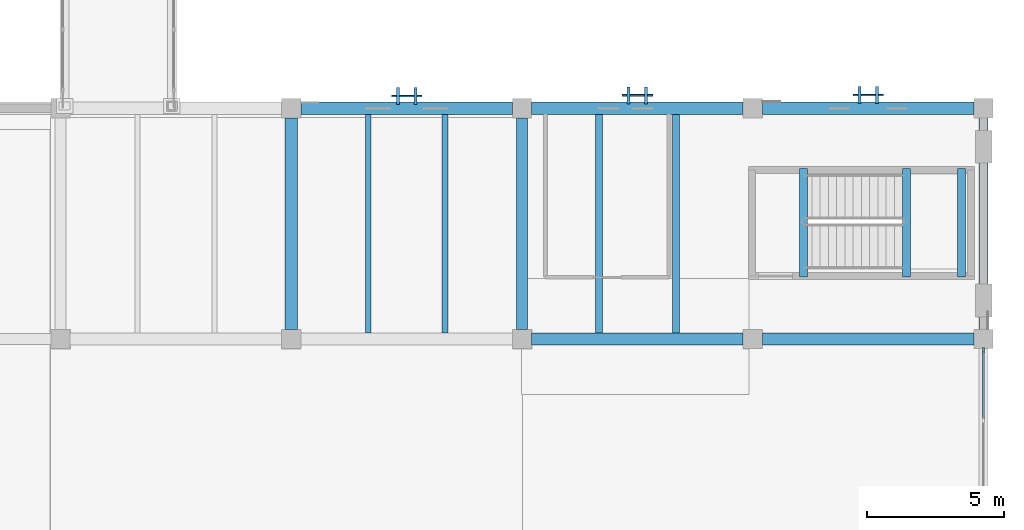
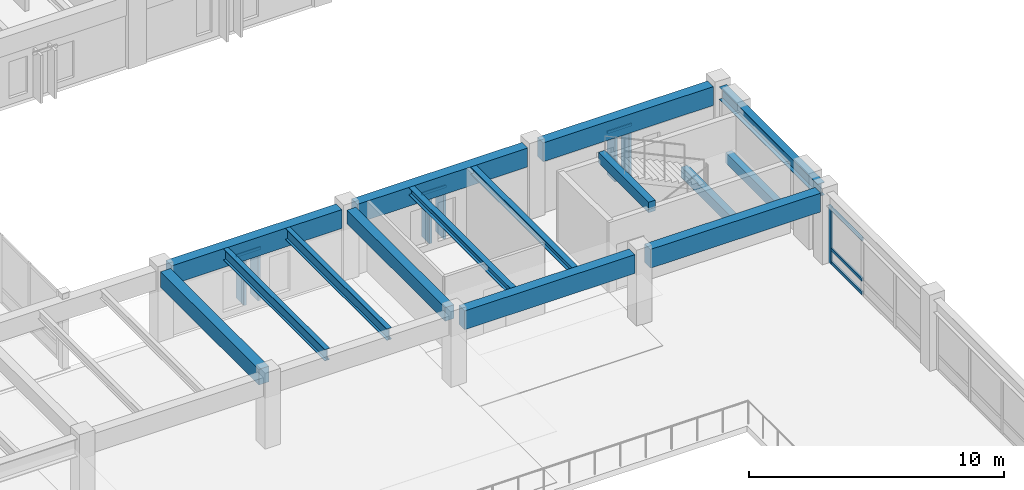
# One storey, part 46 of 118: 15 beams, 13 members, 4 elements without a shape of their own.
"""IFC4 building model written with IfcOpenShell, lengths in metres."""

from ifc_helpers import new_model, si_unit, direction, frame, origin, origin_2d, place, context, subcontext, project, spatial, rectangle, i_section, extrude, material, material_profile, profile_set, type_object, element, aggregate, save


model = new_model("IFC4")

# Units and contexts
model_context = context("Model", 3, precision=1e-05, world=origin(), true_north=direction((0.0, 1.0)))
body_context = subcontext(model_context, "Body", "Model", "MODEL_VIEW")
ifc_project = project(units=[si_unit("LENGTHUNIT", "METRE"), si_unit("AREAUNIT", "SQUARE_METRE"), si_unit("VOLUMEUNIT", "CUBIC_METRE"), si_unit("PLANEANGLEUNIT", "RADIAN"), si_unit("MASSUNIT", "GRAM", prefix="KILO")], contexts=[model_context])

# Site, building, storey
site_placement = place(None, origin())
site = spatial("IfcSite", under=ifc_project, at=site_placement, CompositionType="ELEMENT")
building_placement = place(site_placement, origin())
building = spatial("IfcBuilding", under=site, at=building_placement, Name="Cumbredor Promenade Congress Hotel", CompositionType="ELEMENT")
storey_placement = place(building_placement, frame((0.0, 0.0, 3.919921875)))
storey = spatial("IfcBuildingStorey", under=building, at=storey_placement, Name="L01", CompositionType="ELEMENT", Elevation=3.919921875)

# Beams
ifc_material_1 = material(Name="Concrete C40/50", Category="concrete")
ifc_material_profile_1 = material_profile(ifc_material_1, rectangle(XDim=0.39990234375, YDim=0.64990234375, at=origin_2d()), Name="RC BEAM 400x650")
ifc_profile_set_1 = profile_set([ifc_material_profile_1], Name="Concrete C40/50")
beam_type_1 = type_object("IfcBeamType", Name="BM-RC-400x650", PredefinedType="BEAM", material=ifc_profile_set_1)
beam_1_placement = place(storey_placement, frame((168.0, 59.14990234375, 3.03515625), z_axis=(0.0, 1.0, 0.0), x_axis=(-1.0, 0.0, 0.0)))
element("IfcBeam", 1, at=beam_1_placement, inside=storey, type_object=beam_type_1, Name="L02 Y-Grid Beam 265", PredefinedType="BEAM", context=body_context, shape_type="SweptSolid", body=[
    extrude(rectangle(XDim=0.39990234375, YDim=0.64990234375, at=origin_2d()), origin(), (0.0, 0.0, 1.0), 7.7001953125),
])
ifc_material_profile_2 = material_profile(ifc_material_1, rectangle(XDim=0.449951171875, YDim=0.75, at=origin_2d()), Name="RC BEAM 450x750")
ifc_profile_set_2 = profile_set([ifc_material_profile_2], Name="Concrete C40/50")
beam_type_2 = type_object("IfcBeamType", Name="BM-RC-450x750", PredefinedType="BEAM", material=ifc_profile_set_2)
beam_2_placement = place(storey_placement, frame((159.60009765625, 59.14990234375, 2.985107421875), z_axis=(0.0, 1.0, 0.0), x_axis=(-1.0, 0.0, 0.0)))
element("IfcBeam", 2, at=beam_2_placement, inside=storey, type_object=beam_type_2, Name="L02 Y-Grid Beam 250", PredefinedType="BEAM", context=body_context, shape_type="SweptSolid", body=[
    extrude(rectangle(XDim=0.449951171875, YDim=0.75, at=origin_2d()), origin(), (0.0, 0.0, 1.0), 7.7001953125),
])

# Curtain wall, member
ifc_material_2 = material(Name="Thermally broken anodized aluminium and low-E glass", Category="aluminium")
curtain_wall_type_1 = type_object("IfcCurtainWallType", Name="Unitised Bronze Curtain Wall CW-01", PredefinedType="NOTDEFINED", material=ifc_material_2)
curtain_wall_1_placement = place(storey_placement, origin())
curtain_wall_1 = element("IfcCurtainWall", 3, at=curtain_wall_1_placement, inside=storey, type_object=curtain_wall_type_1, Name="L01 Grand Ballroom Pavilion East Curtain Wall 6", PredefinedType="NOTDEFINED")
ifc_material_3 = material(Name="Thermally broken anodized aluminium", Category="aluminium")
ifc_material_profile_3 = material_profile(ifc_material_3, rectangle(XDim=0.074951171875, YDim=0.199951171875, at=origin_2d()), Name="ALU MULLION 75x200")
ifc_profile_set_3 = profile_set([ifc_material_profile_3], Name="Thermally broken anodized aluminium")
member_type_1 = type_object("IfcMemberType", Name="Curtain Wall Mullion ML-02", PredefinedType="MULLION", material=ifc_profile_set_3)
member_1_placement = place(storey_placement, frame((184.800048828125, 58.39501953125, -0.0078125), z_axis=(0.0, 0.0, 1.0), x_axis=(1.0, 0.0, 0.0)))
member_1 = element("IfcMember", 4, at=member_1_placement, type_object=member_type_1, Name="L01 Grand Ballroom Pavilion East Curtain Wall 6 Mullion 4", PredefinedType="MULLION", context=body_context, shape_type="SweptSolid", body=[
    extrude(rectangle(XDim=0.074951171875, YDim=0.199951171875, at=origin_2d()), origin(), (0.0, 0.0, 1.0), 2.75),
])

curtain_wall_type_2 = type_object("IfcCurtainWallType", Name="Solar Brise-Soleil Screen Assembly CW-07", PredefinedType="NOTDEFINED", material=ifc_material_2)
curtain_wall_2_placement = place(storey_placement, origin())
curtain_wall_2 = element("IfcCurtainWall", 5, at=curtain_wall_2_placement, inside=storey, type_object=curtain_wall_type_2, Name="L01 Pier Brise-Soleil Screen 0169", PredefinedType="NOTDEFINED")
ifc_material_profile_4 = material_profile(ifc_material_3, rectangle(XDim=0.06494140625, YDim=0.1298828125, at=origin_2d()), Name="ALU TRANSOM 65x130")
ifc_profile_set_4 = profile_set([ifc_material_profile_4], Name="Thermally broken anodized aluminium")
member_type_2 = type_object("IfcMemberType", Name="Curtain Wall Transom TR-01", PredefinedType="USERDEFINED", material=ifc_profile_set_4)
member_2_placement = place(storey_placement, frame((163.25, 67.64990234375, 2.28515625), z_axis=(1.0, 0.0, 0.0), x_axis=(0.0, 1.0, 0.0)))
member_2 = element("IfcMember", 6, at=member_2_placement, type_object=member_type_2, Name="L01 Pier Brise-Soleil Header 0171", ObjectType="TRANSOM", PredefinedType="USERDEFINED", context=body_context, shape_type="SweptSolid", body=[
    extrude(rectangle(XDim=0.06494140625, YDim=0.1298828125, at=origin_2d()), origin(), (0.0, 0.0, 1.0), 1.10009765625),
])

curtain_wall_3_placement = place(storey_placement, origin())
curtain_wall_3 = element("IfcCurtainWall", 7, at=curtain_wall_3_placement, inside=storey, type_object=curtain_wall_type_2, Name="L01 Pier Brise-Soleil Screen 0172", PredefinedType="NOTDEFINED")
member_3_placement = place(storey_placement, frame((171.64990234375, 67.672607421875, 2.28515625), z_axis=(1.0, 0.0, 0.0), x_axis=(0.0, 1.0, 0.0)))
member_3 = element("IfcMember", 8, at=member_3_placement, type_object=member_type_2, Name="L01 Pier Brise-Soleil Header 0174", ObjectType="TRANSOM", PredefinedType="USERDEFINED", context=body_context, shape_type="SweptSolid", body=[
    extrude(rectangle(XDim=0.06494140625, YDim=0.1298828125, at=origin_2d()), origin(), (0.0, 0.0, 1.0), 1.10009765625),
])

curtain_wall_4_placement = place(storey_placement, origin())
curtain_wall_4 = element("IfcCurtainWall", 9, at=curtain_wall_4_placement, inside=storey, type_object=curtain_wall_type_2, Name="L01 Pier Brise-Soleil Screen 0175", PredefinedType="NOTDEFINED")
member_4_placement = place(storey_placement, frame((180.050048828125, 67.68505859375, 2.28515625), z_axis=(1.0, 0.0, 0.0), x_axis=(0.0, 1.0, 0.0)))
member_4 = element("IfcMember", 10, at=member_4_placement, type_object=member_type_2, Name="L01 Pier Brise-Soleil Header 0177", ObjectType="TRANSOM", PredefinedType="USERDEFINED", context=body_context, shape_type="SweptSolid", body=[
    extrude(rectangle(XDim=0.06494140625, YDim=0.1298828125, at=origin_2d()), origin(), (0.0, 0.0, 1.0), 1.099853515625),
])

# Member
ifc_material_profile_5 = material_profile(ifc_material_3, rectangle(XDim=0.074951171875, YDim=0.14990234375, at=origin_2d()), Name="ALU TRANSOM 75x150")
ifc_profile_set_5 = profile_set([ifc_material_profile_5], Name="Thermally broken anodized aluminium")
member_type_3 = type_object("IfcMemberType", Name="Curtain Wall Transom TR-02", PredefinedType="USERDEFINED", material=ifc_profile_set_5)
member_5_placement = place(storey_placement, frame((184.800048828125, 55.902587890625, 0.080078125), z_axis=(0.0, 1.0, 0.0), x_axis=(-1.0, 0.0, 0.0)))
member_5 = element("IfcMember", 11, at=member_5_placement, type_object=member_type_3, Name="L01 Grand Ballroom Pavilion East Curtain Wall 6 Transom 3.1", ObjectType="TRANSOM", PredefinedType="USERDEFINED", context=body_context, shape_type="SweptSolid", body=[
    extrude(rectangle(XDim=0.074951171875, YDim=0.14990234375, at=origin_2d()), origin(), (0.0, 0.0, 1.0), 2.454833984375),
])

member_6_placement = place(storey_placement, frame((184.800048828125, 55.902587890625, 0.719970703125), z_axis=(0.0, 1.0, 0.0), x_axis=(-1.0, 0.0, 0.0)))
member_6 = element("IfcMember", 12, at=member_6_placement, type_object=member_type_3, Name="L01 Grand Ballroom Pavilion East Curtain Wall 6 Transom 3.2", ObjectType="TRANSOM", PredefinedType="USERDEFINED", context=body_context, shape_type="SweptSolid", body=[
    extrude(rectangle(XDim=0.074951171875, YDim=0.14990234375, at=origin_2d()), origin(), (0.0, 0.0, 1.0), 2.454833984375),
])

member_7_placement = place(storey_placement, frame((184.800048828125, 55.902587890625, 2.66015625), z_axis=(0.0, 1.0, 0.0), x_axis=(-1.0, 0.0, 0.0)))
member_7 = element("IfcMember", 13, at=member_7_placement, type_object=member_type_3, Name="L01 Grand Ballroom Pavilion East Curtain Wall 6 Transom 3.3", ObjectType="TRANSOM", PredefinedType="USERDEFINED", context=body_context, shape_type="SweptSolid", body=[
    extrude(rectangle(XDim=0.074951171875, YDim=0.14990234375, at=origin_2d()), origin(), (0.0, 0.0, 1.0), 2.454833984375),
])

aggregate(curtain_wall_1, [member_1, member_5, member_6, member_7])

# Beams
ifc_material_4 = material(Name="Steel ASTM A992 Grade 50", Category="steel")
ifc_material_profile_6 = material_profile(ifc_material_4, i_section(OverallWidth=0.2548828125, OverallDepth=0.35693359375, WebThickness=0.010498046875, FlangeThickness=0.018310546875, at=origin_2d()), Name="W14X68")
ifc_profile_set_6 = profile_set([ifc_material_profile_6], Name="Steel ASTM A992 Grade 50")
beam_type_3 = type_object("IfcBeamType", Name="JST-W14X68", PredefinedType="JOIST", material=ifc_profile_set_6)
for number, where, z_axis, x_axis, name in (
    (14, (170.800048828125, 59.02490234375, 3.181640625), (0.0, 1.0, 0.0), (-1.0, 0.0, 0.0), "L02 Secondary Floor Joist 0153"),
    (15, (173.60009765625, 59.02490234375, 3.181640625), (0.0, 1.0, 0.0), (-1.0, 0.0, 0.0), "L02 Secondary Floor Joist 0154"),
):
    element("IfcBeam", number, at=place(storey_placement, frame(where, z_axis=z_axis, x_axis=x_axis)), inside=storey, type_object=beam_type_3, Name=name, PredefinedType="JOIST", context=body_context, shape_type="SweptSolid", body=[
        extrude(i_section(OverallWidth=0.2548828125, OverallDepth=0.35693359375, WebThickness=0.010498046875, FlangeThickness=0.018310546875, at=origin_2d()), origin(), (0.0, 0.0, 1.0), 7.9501953125),
    ])
ifc_material_profile_7 = material_profile(ifc_material_4, i_section(OverallWidth=0.214111328125, OverallDepth=0.549072265625, WebThickness=0.0146484375, FlangeThickness=0.023681640625, at=origin_2d()), Name="W21X93")
ifc_profile_set_7 = profile_set([ifc_material_profile_7], Name="Steel ASTM A992 Grade 50")
beam_type_4 = type_object("IfcBeamType", Name="JST-W21X93", PredefinedType="JOIST", material=ifc_profile_set_7)
for number, where, z_axis, x_axis, name in (
    (16, (162.39990234375, 59.02490234375, 3.085693359375), (0.0, 1.0, 0.0), (-1.0, 0.0, 0.0), "L02 Secondary Floor Joist 0141"),
    (17, (165.199951171875, 59.02490234375, 3.085693359375), (0.0, 1.0, 0.0), (-1.0, 0.0, 0.0), "L02 Secondary Floor Joist 0142"),
):
    element("IfcBeam", number, at=place(storey_placement, frame(where, z_axis=z_axis, x_axis=x_axis)), inside=storey, type_object=beam_type_4, Name=name, PredefinedType="JOIST", context=body_context, shape_type="SweptSolid", body=[
        extrude(i_section(OverallWidth=0.214111328125, OverallDepth=0.549072265625, WebThickness=0.0146484375, FlangeThickness=0.023681640625, at=origin_2d()), origin(), (0.0, 0.0, 1.0), 7.9501953125),
    ])
ifc_material_profile_8 = material_profile(ifc_material_1, rectangle(XDim=0.300048828125, YDim=0.5, at=origin_2d()), Name="RC LINTEL 300x500")
ifc_profile_set_8 = profile_set([ifc_material_profile_8], Name="Concrete C40/50")
beam_type_5 = type_object("IfcBeamType", Name="LN-RC-300x500", PredefinedType="LINTEL", material=ifc_profile_set_8)
for number, where, z_axis, x_axis, name in (
    (18, (184.0, 61.050048828125, 1.3701171875), (0.0, 1.0, 0.0), (-1.0, 0.0, 0.0), "L01 Stair ST-10 Landing Ledger Beam E"),
    (19, (182.0, 61.050048828125, 1.3701171875), (0.0, 1.0, 0.0), (-1.0, 0.0, 0.0), "L01 Stair ST-10 Landing Ledger Beam W"),
    (20, (178.25, 61.050048828125, 3.39013671875), (0.0, 1.0, 0.0), (-1.0, 0.0, 0.0), "L02 Stair ST-10 Well Header Trimmer Beam"),
):
    element("IfcBeam", number, at=place(storey_placement, frame(where, z_axis=z_axis, x_axis=x_axis)), inside=storey, type_object=beam_type_5, Name=name, PredefinedType="LINTEL", context=body_context, shape_type="SweptSolid", body=[
        extrude(rectangle(XDim=0.300048828125, YDim=0.5, at=origin_2d()), origin(), (0.0, 0.0, 1.0), 3.949951171875),
    ])
ifc_material_profile_9 = material_profile(ifc_material_1, rectangle(XDim=0.449951171875, YDim=0.89990234375, at=origin_2d()), Name="RC SPANDREL 450x900")
ifc_profile_set_9 = profile_set([ifc_material_profile_9], Name="Concrete C40/50")
beam_type_6 = type_object("IfcBeamType", Name="SP-RC-450x900", PredefinedType="SPANDREL", material=ifc_profile_set_9)
for number, where, z_axis, x_axis, name in (
    (21, (159.949951171875, 67.199951171875, 2.91015625), (1.0, 0.0, 0.0), (0.0, 1.0, 0.0), "L02 X-Grid Beam 251"),
    (22, (168.35009765625, 58.800048828125, 2.91015625), (1.0, 0.0, 0.0), (0.0, 1.0, 0.0), "L02 X-Grid Beam 264"),
    (23, (168.35009765625, 67.199951171875, 2.91015625), (1.0, 0.0, 0.0), (0.0, 1.0, 0.0), "L02 X-Grid Beam 266"),
    (24, (176.75, 58.800048828125, 2.91015625), (1.0, 0.0, 0.0), (0.0, 1.0, 0.0), "L02 X-Grid Beam 276"),
    (25, (176.75, 67.199951171875, 2.91015625), (1.0, 0.0, 0.0), (0.0, 1.0, 0.0), "L02 X-Grid Beam 277"),
):
    element("IfcBeam", number, at=place(storey_placement, frame(where, z_axis=z_axis, x_axis=x_axis)), inside=storey, type_object=beam_type_6, Name=name, PredefinedType="SPANDREL", context=body_context, shape_type="SweptSolid", body=[
        extrude(rectangle(XDim=0.449951171875, YDim=0.89990234375, at=origin_2d()), origin(), (0.0, 0.0, 1.0), 7.699951171875),
    ])
ifc_material_profile_10 = material_profile(ifc_material_4, i_section(OverallWidth=0.323974609375, OverallDepth=0.611083984375, WebThickness=0.0126953125, FlangeThickness=0.01904296875, at=origin_2d()), Name="W24X104")
ifc_profile_set_10 = profile_set([ifc_material_profile_10], Name="Steel ASTM A992 Grade 50")
beam_type_7 = type_object("IfcBeamType", Name="SP-W24X104", PredefinedType="SPANDREL", material=ifc_profile_set_10)
beam_3_placement = place(storey_placement, frame((184.800048828125, 59.14990234375, 3.0546875), z_axis=(0.0, 1.0, 0.0), x_axis=(-1.0, 0.0, 0.0)))
element("IfcBeam", 26, at=beam_3_placement, inside=storey, type_object=beam_type_7, Name="L02 Y-Grid Beam 288", PredefinedType="SPANDREL", context=body_context, shape_type="SweptSolid", body=[
    extrude(i_section(OverallWidth=0.323974609375, OverallDepth=0.611083984375, WebThickness=0.0126953125, FlangeThickness=0.01904296875, at=origin_2d()), origin(), (0.0, 0.0, 1.0), 7.7001953125),
])

# Member
ifc_material_profile_11 = material_profile(ifc_material_3, rectangle(XDim=0.110107421875, YDim=0.6201171875, at=origin_2d()), Name="ARCH FIN 110x620")
ifc_profile_set_11 = profile_set([ifc_material_profile_11], Name="Thermally broken anodized aluminium")
member_type_4 = type_object("IfcMemberType", Name="Vertical Bronze Brise-Soleil Fin BSF-02 110x620", PredefinedType="USERDEFINED", material=ifc_profile_set_11)
member_8_placement = place(storey_placement, frame((163.47998046875, 67.64990234375, 0.02001953125), z_axis=(0.0, 0.0, 1.0), x_axis=(1.0, 0.0, 0.0)))
member_8 = element("IfcMember", 27, at=member_8_placement, type_object=member_type_4, Name="L01 Pier Brise-Soleil Fin 0170", ObjectType="SOLAR FIN", PredefinedType="USERDEFINED", context=body_context, shape_type="SweptSolid", body=[
    extrude(rectangle(XDim=0.110107421875, YDim=0.6201171875, at=origin_2d()), origin(), (0.0, 0.0, 1.0), 2.30517578125),
])

member_9_placement = place(storey_placement, frame((164.1201171875, 67.64990234375, 0.02001953125), z_axis=(0.0, 0.0, 1.0), x_axis=(1.0, 0.0, 0.0)))
member_9 = element("IfcMember", 28, at=member_9_placement, type_object=member_type_4, Name="L01 Pier Brise-Soleil Fin 0171", ObjectType="SOLAR FIN", PredefinedType="USERDEFINED", context=body_context, shape_type="SweptSolid", body=[
    extrude(rectangle(XDim=0.110107421875, YDim=0.6201171875, at=origin_2d()), origin(), (0.0, 0.0, 1.0), 2.30517578125),
])

aggregate(curtain_wall_2, [member_8, member_9, member_2])

member_10_placement = place(storey_placement, frame((171.8798828125, 67.672607421875, 0.02001953125), z_axis=(0.0, 0.0, 1.0), x_axis=(1.0, 0.0, 0.0)))
member_10 = element("IfcMember", 29, at=member_10_placement, type_object=member_type_4, Name="L01 Pier Brise-Soleil Fin 0173", ObjectType="SOLAR FIN", PredefinedType="USERDEFINED", context=body_context, shape_type="SweptSolid", body=[
    extrude(rectangle(XDim=0.110107421875, YDim=0.6201171875, at=origin_2d()), origin(), (0.0, 0.0, 1.0), 2.30517578125),
])

member_11_placement = place(storey_placement, frame((172.52001953125, 67.672607421875, 0.02001953125), z_axis=(0.0, 0.0, 1.0), x_axis=(1.0, 0.0, 0.0)))
member_11 = element("IfcMember", 30, at=member_11_placement, type_object=member_type_4, Name="L01 Pier Brise-Soleil Fin 0174", ObjectType="SOLAR FIN", PredefinedType="USERDEFINED", context=body_context, shape_type="SweptSolid", body=[
    extrude(rectangle(XDim=0.110107421875, YDim=0.6201171875, at=origin_2d()), origin(), (0.0, 0.0, 1.0), 2.30517578125),
])

aggregate(curtain_wall_3, [member_10, member_11, member_3])

member_12_placement = place(storey_placement, frame((180.280029296875, 67.68505859375, 0.02001953125), z_axis=(0.0, 0.0, 1.0), x_axis=(1.0, 0.0, 0.0)))
member_12 = element("IfcMember", 31, at=member_12_placement, type_object=member_type_4, Name="L01 Pier Brise-Soleil Fin 0176", ObjectType="SOLAR FIN", PredefinedType="USERDEFINED", context=body_context, shape_type="SweptSolid", body=[
    extrude(rectangle(XDim=0.110107421875, YDim=0.6201171875, at=origin_2d()), origin(), (0.0, 0.0, 1.0), 2.30517578125),
])

member_13_placement = place(storey_placement, frame((180.919921875, 67.68505859375, 0.02001953125), z_axis=(0.0, 0.0, 1.0), x_axis=(1.0, 0.0, 0.0)))
member_13 = element("IfcMember", 32, at=member_13_placement, type_object=member_type_4, Name="L01 Pier Brise-Soleil Fin 0177", ObjectType="SOLAR FIN", PredefinedType="USERDEFINED", context=body_context, shape_type="SweptSolid", body=[
    extrude(rectangle(XDim=0.110107421875, YDim=0.6201171875, at=origin_2d()), origin(), (0.0, 0.0, 1.0), 2.30517578125),
])

aggregate(curtain_wall_4, [member_12, member_13, member_4])

save(model, "model.ifc")
